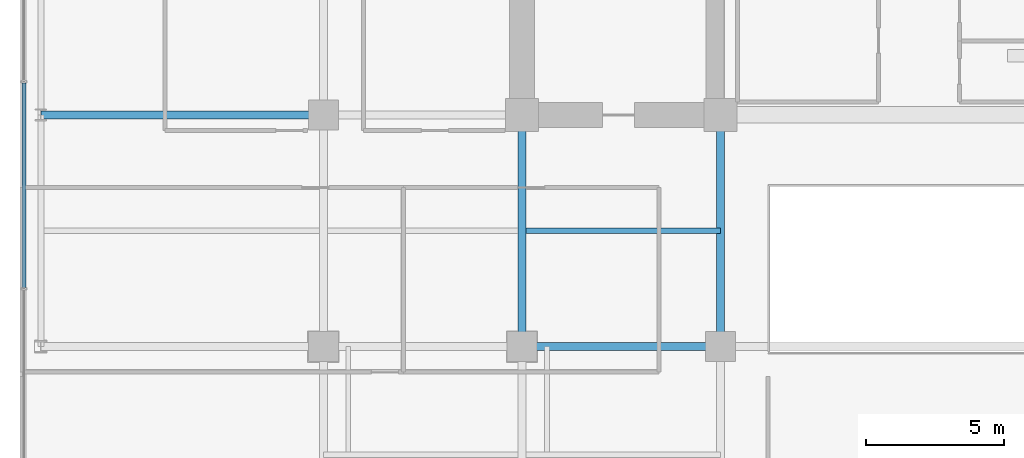
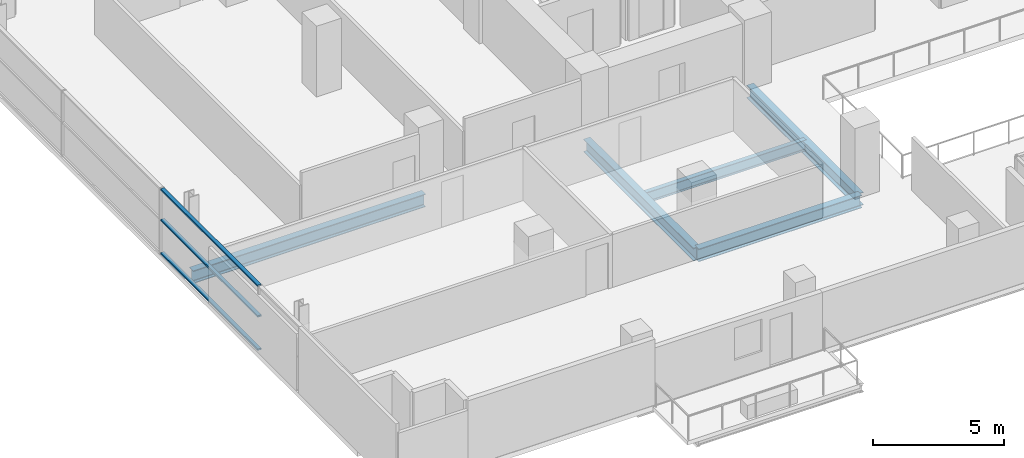
# One storey, part 7 of 29: 5 beams, 3 members, 1 element without a shape of its own.
"""IFC4 building model written with IfcOpenShell, lengths in metres."""

from ifc_helpers import new_model, si_unit, direction, frame, origin, origin_2d, place, context, subcontext, project, spatial, hollow_rectangle, i_section, extrude, source, transform, mapped, material, layer, layer_set, material_profile, profile_set, type_object, element, aggregate, save


model = new_model("IFC4")

# Units and contexts
model_context = context("Model", 3, precision=1e-05, world=origin(), true_north=direction((0.0, 1.0)))
body_context = subcontext(model_context, "Body", "Model", "MODEL_VIEW")
ifc_project = project(units=[si_unit("LENGTHUNIT", "METRE"), si_unit("AREAUNIT", "SQUARE_METRE"), si_unit("VOLUMEUNIT", "CUBIC_METRE"), si_unit("PLANEANGLEUNIT", "RADIAN"), si_unit("MASSUNIT", "GRAM", prefix="KILO")], contexts=[model_context])

# Site, building, storey
site_placement = place(None, origin())
site = spatial("IfcSite", under=ifc_project, at=site_placement, CompositionType="ELEMENT")
building_placement = place(site_placement, origin())
building = spatial("IfcBuilding", under=site, at=building_placement, Name="Zarnakvel Exchange Tower", CompositionType="ELEMENT")
storey_placement = place(building_placement, frame((0.0, 0.0, 37.300048828125)))
storey = spatial("IfcBuildingStorey", under=building, at=storey_placement, Name="L09", CompositionType="ELEMENT", Elevation=37.300048828125)

# Beams
ifc_material_1 = material(Name="Steel S355", Category="steel")
ifc_material_profile_1 = material_profile(ifc_material_1, i_section(OverallWidth=0.199951171875, OverallDepth=0.5, WebThickness=0.01025390625, FlangeThickness=0.01611328125, FilletRadius=0.02099609375, at=origin_2d()))
ifc_profile_set_1 = profile_set([ifc_material_profile_1], Name="Steel S355")
beam_type_1 = type_object("IfcBeamType", Name="B-04", PredefinedType="JOIST", material=ifc_profile_set_1)
beam_1_placement = place(storey_placement, frame((-14.25, -5.39990234375, -0.47509765625), z_axis=(1.0, 0.0, 0.0), x_axis=(0.0, 1.0, 0.0)))
element("IfcBeam", 1, at=beam_1_placement, inside=storey, type_object=beam_type_1, Name="L09 Composite Floor Secondary Joist", PredefinedType="JOIST", context=body_context, shape_type="SweptSolid", body=[
    extrude(i_section(OverallWidth=0.199951171875, OverallDepth=0.5, WebThickness=0.01025390625, FlangeThickness=0.01611328125, FilletRadius=0.02099609375, at=origin_2d()), origin(), (0.0, 0.0, 1.0), 7.050048828125),
])
ifc_material_profile_2 = material_profile(ifc_material_1, i_section(OverallWidth=0.300048828125, OverallDepth=0.60009765625, WebThickness=0.015380859375, FlangeThickness=0.030029296875, FilletRadius=0.027099609375, at=origin_2d()))
ifc_profile_set_2 = profile_set([ifc_material_profile_2], Name="Steel S355")
beam_type_2 = type_object("IfcBeamType", Name="G-04", PredefinedType="BEAM", material=ifc_profile_set_2)
beam_2_placement = place(storey_placement, frame((-14.39990234375, -9.60009765625, -0.525146484375), z_axis=(1.0, 0.0, 0.0), x_axis=(0.0, 1.0, 0.0)))
element("IfcBeam", 2, at=beam_2_placement, inside=storey, type_object=beam_type_2, Name="L09 Tower E-W Frame Beam", PredefinedType="BEAM", context=body_context, shape_type="SweptSolid", body=[
    extrude(i_section(OverallWidth=0.300048828125, OverallDepth=0.60009765625, WebThickness=0.015380859375, FlangeThickness=0.030029296875, FilletRadius=0.027099609375, at=origin_2d()), origin(), (0.0, 0.0, 1.0), 7.199951171875),
])
beam_3_placement = place(storey_placement, frame((-31.85009765625, -1.199951171875, -0.525146484375), z_axis=(1.0, 0.0, 0.0), x_axis=(0.0, 1.0, 0.0)))
element("IfcBeam", 3, at=beam_3_placement, inside=storey, type_object=beam_type_2, Name="L09 Tower E-W Frame Beam", PredefinedType="BEAM", context=body_context, shape_type="SweptSolid", body=[
    extrude(i_section(OverallWidth=0.300048828125, OverallDepth=0.60009765625, WebThickness=0.015380859375, FlangeThickness=0.030029296875, FilletRadius=0.027099609375, at=origin_2d()), origin(), (0.0, 0.0, 1.0), 10.25),
])
for number, where, z_axis, x_axis, name in (
    (4, (-14.39990234375, -9.60009765625, -0.525146484375), (0.0, 1.0, 0.0), (-1.0, 0.0, 0.0), "L09 Tower N-S Frame Beam"),
    (5, (-7.199951171875, -9.60009765625, -0.525146484375), (0.0, 1.0, 0.0), (-1.0, 0.0, 0.0), "L09 Tower N-S Frame Beam"),
):
    element("IfcBeam", number, at=place(storey_placement, frame(where, z_axis=z_axis, x_axis=x_axis)), inside=storey, type_object=beam_type_2, Name=name, PredefinedType="BEAM", context=body_context, shape_type="SweptSolid", body=[
        extrude(i_section(OverallWidth=0.300048828125, OverallDepth=0.60009765625, WebThickness=0.015380859375, FlangeThickness=0.030029296875, FilletRadius=0.027099609375, at=origin_2d()), origin(), (0.0, 0.0, 1.0), 8.400146484375),
    ])

# Curtain wall, members
ifc_material_2 = material(Name="Architectural Bronze Anodised Aluminium", Category="aluminium")
ifc_layer = layer(ifc_material_2, 0.199951171875)
ifc_layer_set = layer_set([ifc_layer], Name="Architectural Bronze Anodised Aluminium")
curtain_wall_type = type_object("IfcCurtainWallType", Name="CW-04", PredefinedType="NOTDEFINED", material=ifc_layer_set)
curtain_wall_placement = place(storey_placement, origin())
curtain_wall = element("IfcCurtainWall", 6, at=curtain_wall_placement, inside=storey, type_object=curtain_wall_type, Name="L09 Curtain Wall CW-L09-W1 (CW-04)", PredefinedType="NOTDEFINED")
ifc_material_profile_3 = material_profile(ifc_material_2, hollow_rectangle(XDim=0.159912109375, YDim=0.074951171875, WallThickness=0.00390625, at=origin_2d()))
ifc_profile_set_3 = profile_set([ifc_material_profile_3], Name="Architectural Bronze Anodised Aluminium")
member_type = type_object("IfcMemberType", Name="CWT-04", PredefinedType="USERDEFINED", material=ifc_profile_set_3)
shared_shape = source(origin(), body_context, "Body", "SweptSolid", [
    extrude(hollow_rectangle(XDim=0.159912109375, YDim=0.074951171875, WallThickness=0.00390625, at=origin_2d()), origin(), (0.0, 0.0, 1.0), 7.4248046875),
])
member_1_placement = place(storey_placement, frame((-32.4599609375, -7.46240234375, 0.037353515625), z_axis=(0.0, 1.0, 0.0), x_axis=(-1.0, 0.0, 0.0)))
member_1 = element("IfcMember", 7, at=member_1_placement, type_object=member_type, Name="CW-04 transom 2.1", ObjectType="TRANSOM", PredefinedType="USERDEFINED", context=body_context, shape_type="MappedRepresentation", body=[
    mapped(shared_shape, transform((0.0, 0.0, 0.0), x_axis=(1.0, 0.0, 0.0), y_axis=(0.0, 1.0, 0.0), z_axis=(0.0, 0.0, 1.0), scale=1.0)),
])
member_2_placement = place(storey_placement, frame((-32.4599609375, -7.46240234375, 1.588623046875), z_axis=(0.0, 1.0, 0.0), x_axis=(-1.0, 0.0, 0.0)))
member_2 = element("IfcMember", 8, at=member_2_placement, type_object=member_type, Name="CW-04 transom 2.2", ObjectType="TRANSOM", PredefinedType="USERDEFINED", context=body_context, shape_type="MappedRepresentation", body=[
    mapped(shared_shape, transform((0.0, 0.0, 0.0), x_axis=(1.0, 0.0, 0.0), y_axis=(0.0, 1.0, 0.0), z_axis=(0.0, 0.0, 1.0), scale=1.0)),
])
member_3_placement = place(storey_placement, frame((-32.4599609375, -7.46240234375, 3.017333984375), z_axis=(0.0, 1.0, 0.0), x_axis=(-1.0, 0.0, 0.0)))
member_3 = element("IfcMember", 9, at=member_3_placement, type_object=member_type, Name="CW-04 transom 2.3", ObjectType="TRANSOM", PredefinedType="USERDEFINED", context=body_context, shape_type="MappedRepresentation", body=[
    mapped(shared_shape, transform((0.0, 0.0, 0.0), x_axis=(1.0, 0.0, 0.0), y_axis=(0.0, 1.0, 0.0), z_axis=(0.0, 0.0, 1.0), scale=1.0)),
])
aggregate(curtain_wall, [member_1, member_2, member_3])

save(model, "model.ifc")
